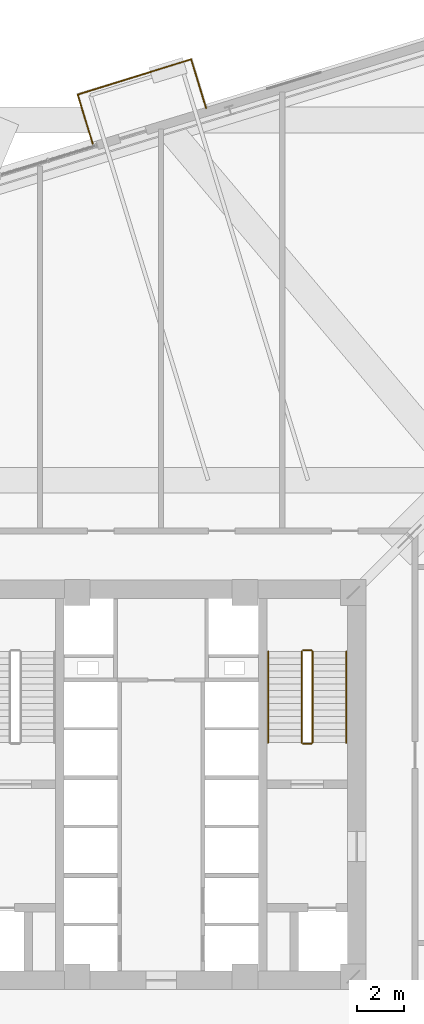
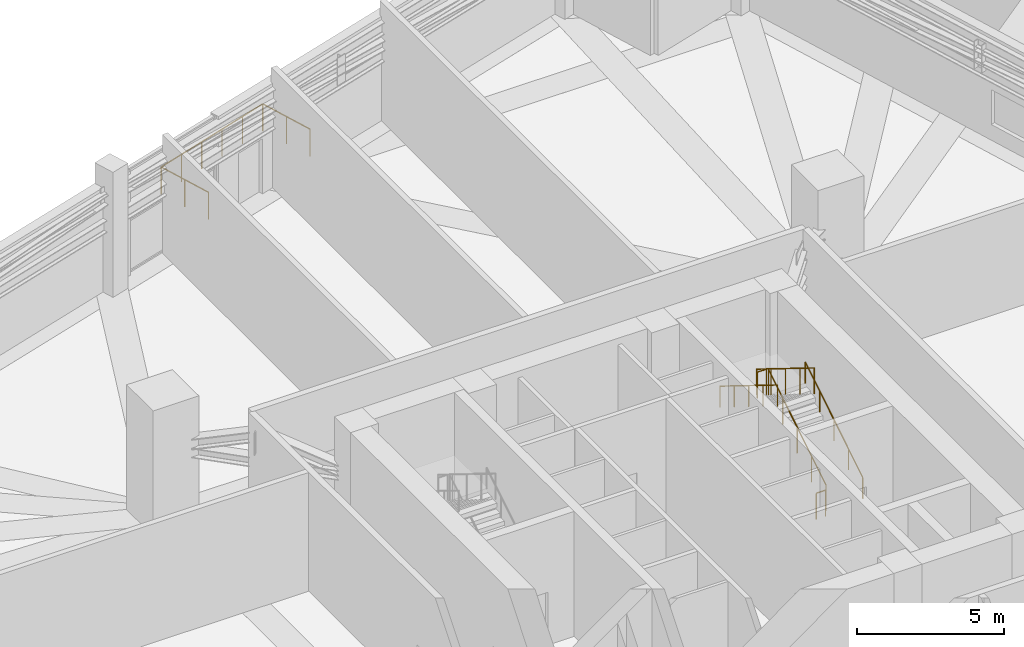
# One storey, part 21 of 22: 9 railings.
"""IFC4 building model written with IfcOpenShell, lengths in metres."""

import ifcopenshell
import ifcopenshell.guid

model = None  # the IFC model being written
_history = None  # IfcOwnerHistory: only IFC2X3 demands one
_inside = {}  # id of a spatial element -> (the spatial element, [elements in it])
_under = {}  # id of a project, library or spatial element -> (it, [spatial elements below it])
_declared = {}  # id of a project -> (the project, [libraries it declares])
_typed = {}  # id of a type object -> (the type object, [elements of that type])
_made_of = {}  # id of a material, layer set ... -> (it, [elements and type objects made of it])


def new_model(schema):
    """Start an empty IFC model of exactly this schema.

    Asked for "IFC4X3", IfcOpenShell would pick the latest addendum, in which some entities
    have other attributes; the version numbers below select the first issue.
    IFC2X3 requires an IfcOwnerHistory on every rooted entity: one is made here for all.
    """
    global model, _history
    if schema == "IFC4X3":
        model = ifcopenshell.file(schema_version=(4, 3, 0, 0))
    else:
        model = ifcopenshell.file(schema=schema)
    _inside.clear()
    _under.clear()
    _declared.clear()
    _typed.clear()
    _made_of.clear()
    _history = None
    if model.schema == "IFC2X3":
        org = make("IfcOrganization", Name="unknown")
        user = make(
            "IfcPersonAndOrganization",
            ThePerson=make("IfcPerson", FamilyName="unknown"),
            TheOrganization=org,
        )
        app = make(
            "IfcApplication",
            ApplicationDeveloper=org,
            Version="unknown",
            ApplicationFullName="unknown",
            ApplicationIdentifier="unknown",
        )
        _history = make(
            "IfcOwnerHistory",
            OwningUser=user,
            OwningApplication=app,
            ChangeAction="ADDED",
            CreationDate=0,
        )
    return model


def make(cls, **values):
    """One entity of the class cls with the attributes given. An attribute that is None is left unset."""
    return model.create_entity(
        cls, **{name: value for name, value in values.items() if value is not None}
    )


def rooted(cls, **values):
    """An entity with a GlobalId (a new one), such as an element, a storey or a relation."""
    return make(cls, GlobalId=ifcopenshell.guid.new(), OwnerHistory=_history, **values)


def si_unit(unit_type, name, prefix=None):
    """IfcSIUnit, for example si_unit("LENGTHUNIT", "METRE", prefix="MILLI")."""
    return make("IfcSIUnit", UnitType=unit_type, Prefix=prefix, Name=name)


def assignment(units):
    """IfcUnitAssignment: the units of a project."""
    return None if units is None else make("IfcUnitAssignment", Units=units)


def point(xyz):
    """IfcCartesianPoint."""
    return None if xyz is None else make("IfcCartesianPoint", Coordinates=xyz)


def direction(xyz):
    """IfcDirection."""
    return None if xyz is None else make("IfcDirection", DirectionRatios=xyz)


def frame(location, z_axis=None, x_axis=None):
    """IfcAxis2Placement3D, a coordinate frame: its origin and axes. An axis left out is left unset."""
    return make(
        "IfcAxis2Placement3D",
        Location=point(location),
        Axis=direction(z_axis),
        RefDirection=direction(x_axis),
    )


def frame_2d(location, x_axis=None):
    """IfcAxis2Placement2D, a coordinate frame in the plane: its origin and x axis."""
    return make(
        "IfcAxis2Placement2D", Location=point(location), RefDirection=direction(x_axis)
    )


def origin():
    """The frame at (0, 0, 0) with its axes left unset."""
    return frame((0.0, 0.0, 0.0))


def origin_2d():
    """The frame at (0, 0) in the plane with its x axis left unset."""
    return frame_2d((0.0, 0.0))


def place(relative_to, where):
    """IfcLocalPlacement: puts the frame where relative to a parent placement (None: the world)."""
    return make(
        "IfcLocalPlacement", PlacementRelTo=relative_to, RelativePlacement=where
    )


def context(
    kind, dimensions, precision=None, world=None, true_north=None, identifier=None
):
    """IfcGeometricRepresentationContext, for example the 3D "Model" context."""
    return make(
        "IfcGeometricRepresentationContext",
        ContextIdentifier=identifier,
        ContextType=kind,
        CoordinateSpaceDimension=dimensions,
        Precision=precision,
        WorldCoordinateSystem=world,
        TrueNorth=true_north,
    )


def subcontext(parent, identifier, kind, view, scale=None):
    """IfcGeometricRepresentationSubContext, for example "Body" below "Model"."""
    return make(
        "IfcGeometricRepresentationSubContext",
        ContextIdentifier=identifier,
        ContextType=kind,
        ParentContext=parent,
        TargetScale=scale,
        TargetView=view,
    )


def project(units=None, contexts=None):
    """IfcProject with its units and contexts."""
    return rooted(
        "IfcProject",
        Name="project",
        RepresentationContexts=contexts,
        UnitsInContext=assignment(units),
    )


def spatial(cls, under=None, at=None, **own):
    """A site, building, storey or space (cls), placed at a placement, below another one or the project."""
    s = rooted(cls, ObjectPlacement=at, **own)
    if under is not None:
        _under.setdefault(under.id(), (under, []))[1].append(s)
    return s


def profile(cls, at=None, kind="AREA", **sizes):
    """A parametric profile (cls). Its sizes go by their IFC names, for example OverallWidth=200.0."""
    return make(cls, ProfileType=kind, Position=at, **sizes)


def circle(**sizes):
    """IfcCircleProfileDef."""
    return profile("IfcCircleProfileDef", **sizes)


def extrude(swept, where, along, depth):
    """IfcExtrudedAreaSolid: the profile swept, set in the frame where, extruded along a direction by depth."""
    return make(
        "IfcExtrudedAreaSolid",
        SweptArea=swept,
        Position=where,
        ExtrudedDirection=direction(along),
        Depth=depth,
    )


def shape(context_of_items, identifier, shape_type, items):
    """IfcShapeRepresentation: the items that make up one representation, for example the "Body"."""
    return make(
        "IfcShapeRepresentation",
        ContextOfItems=context_of_items,
        RepresentationIdentifier=identifier,
        RepresentationType=shape_type,
        Items=items,
    )


def source(mapping_origin, context_of_items, identifier, shape_type, items):
    """IfcRepresentationMap: a shape defined once, which mapped items show again and again."""
    return make(
        "IfcRepresentationMap",
        MappingOrigin=mapping_origin,
        MappedRepresentation=shape(context_of_items, identifier, shape_type, items),
    )


def transform(
    local_origin,
    x_axis=None,
    y_axis=None,
    z_axis=None,
    scale=None,
    scale2=None,
    scale3=None,
    uniform=True,
):
    """IfcCartesianTransformationOperator3D, or its non-uniform kind. x_axis, y_axis, z_axis: its Axis1, 2, 3."""
    if uniform:
        return make(
            "IfcCartesianTransformationOperator3D",
            Axis1=direction(x_axis),
            Axis2=direction(y_axis),
            LocalOrigin=point(local_origin),
            Scale=scale,
            Axis3=direction(z_axis),
        )
    return make(
        "IfcCartesianTransformationOperator3DnonUniform",
        Axis1=direction(x_axis),
        Axis2=direction(y_axis),
        LocalOrigin=point(local_origin),
        Scale=scale,
        Axis3=direction(z_axis),
        Scale2=scale2,
        Scale3=scale3,
    )


def mapped(mapping_source, mapping_target):
    """IfcMappedItem: shows the shape of a source again, moved by a transform."""
    return make(
        "IfcMappedItem", MappingSource=mapping_source, MappingTarget=mapping_target
    )


def material(Name=None, Category=None):
    """IfcMaterial."""
    return make("IfcMaterial", Name=Name, Category=Category)


def made_of(thing, what):
    """Note that an element or type object is made of a material, layer set ...; save() writes the relation."""
    if what is not None:
        _made_of.setdefault(what.id(), (what, []))[1].append(thing)
    return thing


def type_object(cls, material=None, **own):
    """A type object (cls), such as IfcWallType, which elements share."""
    return made_of(rooted(cls, **own), material)


def element(
    cls,
    number,
    at=None,
    inside=None,
    cuts=None,
    type_object=None,
    material=None,
    context=None,
    identifier="Body",
    shape_type=None,
    held_by="IfcProductDefinitionShape",
    body=None,
    shapes=None,
    **own,
):
    """One element of the class cls, such as IfcWall. Its Tag is "e" and its number.

    at: its placement. inside: the storey or other place that contains it. cuts: it is an
    opening in that element (IfcRelVoidsElement). A single representation is given by context,
    identifier, shape_type and body (its items); several are given by shapes. held_by: the class
    of the entity that holds the representations. save() writes the other relations.
    """
    e = rooted(cls, Tag="e%d" % number, ObjectPlacement=at, **own)
    if body is not None:
        shapes = [shape(context, identifier, shape_type, body)]
    if shapes is not None:
        e.Representation = make(held_by, Representations=shapes)
    if inside is not None:
        _inside.setdefault(inside.id(), (inside, []))[1].append(e)
    if cuts is not None:
        rooted(
            "IfcRelVoidsElement", RelatingBuildingElement=cuts, RelatedOpeningElement=e
        )
    if type_object is not None:
        _typed.setdefault(type_object.id(), (type_object, []))[1].append(e)
    return made_of(e, material)


def aggregate(whole, parts):
    """IfcRelAggregates: a whole, such as a stair, and the parts it consists of."""
    return rooted("IfcRelAggregates", RelatingObject=whole, RelatedObjects=parts)


def save(model, path):
    """Write the relations noted so far, then the file.

    IfcRelAggregates (storeys below a building ...), IfcRelContainedInSpatialStructure (elements
    in a storey), IfcRelDefinesByType, IfcRelAssociatesMaterial and IfcRelDeclares: one each for
    every whole, place, type object, material and project.
    """
    for whole, parts in _under.values():
        aggregate(whole, parts)
    for where, things in _inside.values():
        rooted(
            "IfcRelContainedInSpatialStructure",
            RelatedElements=things,
            RelatingStructure=where,
        )
    for kind, things in _typed.values():
        rooted("IfcRelDefinesByType", RelatedObjects=things, RelatingType=kind)
    for what, things in _made_of.values():
        rooted("IfcRelAssociatesMaterial", RelatedObjects=things, RelatingMaterial=what)
    for by, libraries in _declared.values():
        rooted("IfcRelDeclares", RelatingContext=by, RelatedDefinitions=libraries)
    model.write(path)


model = new_model("IFC4")

# Units and contexts
model_context = context("Model", 3, precision=1e-05, world=origin(), true_north=direction((0.0, 1.0)))
body_context = subcontext(model_context, "Body", "Model", "MODEL_VIEW")
ifc_project = project(units=[si_unit("LENGTHUNIT", "METRE"), si_unit("AREAUNIT", "SQUARE_METRE"), si_unit("VOLUMEUNIT", "CUBIC_METRE"), si_unit("PLANEANGLEUNIT", "RADIAN"), si_unit("MASSUNIT", "GRAM", prefix="KILO"), si_unit("THERMODYNAMICTEMPERATUREUNIT", "KELVIN")], contexts=[model_context])

# Site, building, storey
site_placement = place(None, origin())
site = spatial("IfcSite", under=ifc_project, at=site_placement, CompositionType="ELEMENT")
building_placement = place(site_placement, origin())
building = spatial("IfcBuilding", under=site, at=building_placement, Name="Kosmvard Interchange Tower", CompositionType="ELEMENT")
storey_placement = place(building_placement, frame((0.0, 0.0, 78.0)))
storey = spatial("IfcBuildingStorey", under=building, at=storey_placement, Name="L18", CompositionType="ELEMENT", Elevation=78.0)

# Railings
ifc_material = material(Name="Steel S355", Category="steel")
railing_type_1 = type_object("IfcRailingType", Name="Observation & Balcony Glass-Infill Balustrade 1150", PredefinedType="BALUSTRADE", material=ifc_material)
shared_shape_1 = source(origin(), body_context, "Body", "SweptSolid", [
    extrude(circle(Radius=0.02392578125, at=origin_2d()), frame((0.0, 0.0, 1.1259765625), z_axis=(-0.292424349234, 0.956288659336, 0.0), x_axis=(-0.956288659336, -0.292424349234, 0.0)), (0.0, 0.0, 1.0), 2.199951171875),
    extrude(circle(Radius=0.02099609375, at=origin_2d()), origin(), (0.0, 0.0, 1.0), 1.101806640625),
    extrude(circle(Radius=0.02099609375, at=origin_2d()), frame((-0.32177734375, 1.0517578125, 0.0)), (0.0, 0.0, 1.0), 1.101806640625),
    extrude(circle(Radius=0.02099609375, at=origin_2d()), frame((-0.643310546875, 2.103759765625, 0.0)), (0.0, 0.0, 1.0), 1.101806640625),
])
railing_1_placement = place(storey_placement, frame((1.929931640625, 29.048583984375, 0.0)))
element("IfcRailing", 1, at=railing_1_placement, inside=storey, type_object=railing_type_1, Name="L18 Outdoor Terrace Guard SKG-L18-N-A", PredefinedType="BALUSTRADE", context=body_context, shape_type="MappedRepresentation", body=[
    mapped(shared_shape_1, transform((0.0, 0.0, 0.0), scale=1.0)),
])
shared_shape_2 = source(origin(), body_context, "Body", "SweptSolid", [
    extrude(circle(Radius=0.02392578125, at=origin_2d()), frame((0.0, 0.0, 1.1259765625), z_axis=(-0.9547816624, -0.29730788275, 0.0), x_axis=(0.29730788275, -0.9547816624, 0.0)), (0.0, 0.0, 1.0), 5.103515625),
    extrude(circle(Radius=0.02099609375, at=origin_2d()), origin(), (0.0, 0.0, 1.0), 1.101806640625),
    extrude(circle(Radius=0.02099609375, at=origin_2d()), frame((-0.974609375, -0.303466796875, 0.0)), (0.0, 0.0, 1.0), 1.101806640625),
    extrude(circle(Radius=0.02099609375, at=origin_2d()), frame((-1.94921875, -0.60693359375, 0.0)), (0.0, 0.0, 1.0), 1.101806640625),
    extrude(circle(Radius=0.02099609375, at=origin_2d()), frame((-2.923583984375, -0.910400390625, 0.0)), (0.0, 0.0, 1.0), 1.101806640625),
    extrude(circle(Radius=0.02099609375, at=origin_2d()), frame((-3.898193359375, -1.2138671875, 0.0)), (0.0, 0.0, 1.0), 1.101806640625),
    extrude(circle(Radius=0.02099609375, at=origin_2d()), frame((-4.872802734375, -1.517333984375, 0.0)), (0.0, 0.0, 1.0), 1.101806640625),
])
railing_2_placement = place(storey_placement, frame((1.28662109375, 31.15234375, 0.0)))
element("IfcRailing", 2, at=railing_2_placement, inside=storey, type_object=railing_type_1, Name="L18 Outdoor Terrace Guard SKG-L18-N-B", PredefinedType="BALUSTRADE", context=body_context, shape_type="MappedRepresentation", body=[
    mapped(shared_shape_2, transform((0.0, 0.0, 0.0), scale=1.0)),
])
shared_shape_3 = source(origin(), body_context, "Body", "SweptSolid", [
    extrude(circle(Radius=0.02392578125, at=origin_2d()), frame((0.0, 0.0, 1.1259765625), z_axis=(0.292393318538, -0.956298147689, 0.0), x_axis=(0.956298147689, 0.292393318538, 0.0)), (0.0, 0.0, 1.0), 2.2001953125),
    extrude(circle(Radius=0.02099609375, at=origin_2d()), origin(), (0.0, 0.0, 1.0), 1.101806640625),
    extrude(circle(Radius=0.02099609375, at=origin_2d()), frame((0.32177734375, -1.052001953125, 0.0)), (0.0, 0.0, 1.0), 1.101806640625),
    extrude(circle(Radius=0.02099609375, at=origin_2d()), frame((0.643310546875, -2.10400390625, 0.0)), (0.0, 0.0, 1.0), 1.101806640625),
])
railing_3_placement = place(storey_placement, frame((-3.586181640625, 29.635009765625, 0.0)))
element("IfcRailing", 3, at=railing_3_placement, inside=storey, type_object=railing_type_1, Name="L18 Outdoor Terrace Guard SKG-L18-N-C", PredefinedType="BALUSTRADE", context=body_context, shape_type="MappedRepresentation", body=[
    mapped(shared_shape_3, transform((0.0, 0.0, 0.0), scale=1.0)),
])
railing_type_2 = type_object("IfcRailingType", Name="Stair & Terrace Safety Guardrail 1100 Steel", PredefinedType="GUARDRAIL", material=ifc_material)
shared_shape_4 = source(origin(), body_context, "Body", "SweptSolid", [
    extrude(circle(Radius=0.02392578125, at=origin_2d()), frame((0.0, 0.0, 1.076171875), z_axis=(-1.0, 0.0, 0.0), x_axis=(0.0, -1.0, 0.0)), (0.0, 0.0, 1.0), 0.35986328125),
    extrude(circle(Radius=0.02099609375, at=origin_2d()), origin(), (0.0, 0.0, 1.0), 1.052001953125),
    extrude(circle(Radius=0.02099609375, at=origin_2d()), frame((-0.35986328125, 0.0, 0.0)), (0.0, 0.0, 1.0), 1.052001953125),
])
for number, where, name in (
    (4, (6.449951171875, 5.77001953125, 2.60009765625), "L18 ST-2 stair guard 2"),
    (5, (6.449951171875, 1.75, 0.0), "L18 ST-2 stair guard 4"),
):
    element("IfcRailing", number, at=place(storey_placement, frame(where)), inside=storey, type_object=railing_type_2, Name=name, PredefinedType="GUARDRAIL", context=body_context, shape_type="MappedRepresentation", body=[
        mapped(shared_shape_4, transform((0.0, 0.0, 0.0), scale=1.0)),
    ])
shared_shape_5 = source(origin(), body_context, "Body", "SweptSolid", [
    extrude(circle(Radius=0.02392578125, at=origin_2d()), frame((0.0, 0.0, 1.076171875), z_axis=(0.0, 0.850251603719, 0.526376491091), x_axis=(-1.0, 0.0, 0.0)), (0.0, 0.0, 1.0), 4.6103515625),
    extrude(circle(Radius=0.02099609375, at=origin_2d()), origin(), (0.0, 0.0, 1.0), 1.052001953125),
    extrude(circle(Radius=0.02099609375, at=origin_2d()), frame((0.0, 0.97998046875, 0.606689453125)), (0.0, 0.0, 1.0), 1.052001953125),
    extrude(circle(Radius=0.02099609375, at=origin_2d()), frame((0.0, 1.9599609375, 1.21337890625)), (0.0, 0.0, 1.0), 1.052001953125),
    extrude(circle(Radius=0.02099609375, at=origin_2d()), frame((0.0, 2.93994140625, 1.820068359375)), (0.0, 0.0, 1.0), 1.052001953125),
    extrude(circle(Radius=0.02099609375, at=origin_2d()), frame((0.0, 3.919921875, 2.4267578125)), (0.0, 0.0, 1.0), 1.052001953125),
])
railing_4_placement = place(storey_placement, frame((6.5, 1.800048828125, 0.17333984375)))
element("IfcRailing", 6, at=railing_4_placement, inside=storey, type_object=railing_type_2, Name="L18 ST-2 stair guard 1", PredefinedType="GUARDRAIL", context=body_context, shape_type="MappedRepresentation", body=[
    mapped(shared_shape_5, transform((0.0, 0.0, 0.0), scale=1.0)),
])
shared_shape_6 = source(origin(), body_context, "Body", "SweptSolid", [
    extrude(circle(Radius=0.02392578125, at=origin_2d()), frame((0.0, 0.0, 1.076171875), z_axis=(0.0, -0.850275303828, 0.526338206574), x_axis=(1.0, 0.0, 0.0)), (0.0, 0.0, 1.0), 4.610107421875),
    extrude(circle(Radius=0.02099609375, at=origin_2d()), origin(), (0.0, 0.0, 1.0), 1.052001953125),
    extrude(circle(Radius=0.02099609375, at=origin_2d()), frame((0.0, -0.97998046875, 0.606689453125)), (0.0, 0.0, 1.0), 1.052001953125),
    extrude(circle(Radius=0.02099609375, at=origin_2d()), frame((0.0, -1.9599609375, 1.21337890625)), (0.0, 0.0, 1.0), 1.052001953125),
    extrude(circle(Radius=0.02099609375, at=origin_2d()), frame((0.0, -2.93994140625, 1.81982421875)), (0.0, 0.0, 1.0), 1.052001953125),
    extrude(circle(Radius=0.02099609375, at=origin_2d()), frame((0.0, -3.919921875, 2.426513671875)), (0.0, 0.0, 1.0), 1.052001953125),
])
railing_5_placement = place(storey_placement, frame((6.0400390625, 5.719970703125, 2.7734375)))
element("IfcRailing", 7, at=railing_5_placement, inside=storey, type_object=railing_type_2, Name="L18 ST-2 stair guard 3", PredefinedType="GUARDRAIL", context=body_context, shape_type="MappedRepresentation", body=[
    mapped(shared_shape_6, transform((0.0, 0.0, 0.0), scale=1.0)),
])
railing_type_3 = type_object("IfcRailingType", Name="Wall-Mounted Stair Handrail 900 Steel", PredefinedType="HANDRAIL", material=ifc_material)
shared_shape_7 = source(origin(), body_context, "Body", "SweptSolid", [
    extrude(circle(Radius=0.02392578125, at=origin_2d()), frame((0.0, 0.0, 0.8759765625), z_axis=(0.0, 0.850251603719, 0.526376491091), x_axis=(-1.0, 0.0, 0.0)), (0.0, 0.0, 1.0), 4.6103515625),
    extrude(circle(Radius=0.02099609375, at=origin_2d()), origin(), (0.0, 0.0, 1.0), 0.851806640625),
    extrude(circle(Radius=0.02099609375, at=origin_2d()), frame((0.0, 0.97998046875, 0.606689453125)), (0.0, 0.0, 1.0), 0.851806640625),
    extrude(circle(Radius=0.02099609375, at=origin_2d()), frame((0.0, 1.9599609375, 1.21337890625)), (0.0, 0.0, 1.0), 0.851806640625),
    extrude(circle(Radius=0.02099609375, at=origin_2d()), frame((0.0, 2.93994140625, 1.820068359375)), (0.0, 0.0, 1.0), 0.851806640625),
    extrude(circle(Radius=0.02099609375, at=origin_2d()), frame((0.0, 3.919921875, 2.4267578125)), (0.0, 0.0, 1.0), 0.851806640625),
])
railing_6_placement = place(storey_placement, frame((7.949951171875, 1.800048828125, 0.17333984375)))
element("IfcRailing", 8, at=railing_6_placement, inside=storey, type_object=railing_type_3, Name="L18 ST-2 stair handrail 1", PredefinedType="HANDRAIL", context=body_context, shape_type="MappedRepresentation", body=[
    mapped(shared_shape_7, transform((0.0, 0.0, 0.0), scale=1.0)),
])
shared_shape_8 = source(origin(), body_context, "Body", "SweptSolid", [
    extrude(circle(Radius=0.02392578125, at=origin_2d()), frame((0.0, 0.0, 0.8759765625), z_axis=(0.0, -0.850275303828, 0.526338206574), x_axis=(1.0, 0.0, 0.0)), (0.0, 0.0, 1.0), 4.610107421875),
    extrude(circle(Radius=0.02099609375, at=origin_2d()), origin(), (0.0, 0.0, 1.0), 0.851806640625),
    extrude(circle(Radius=0.02099609375, at=origin_2d()), frame((0.0, -0.97998046875, 0.606689453125)), (0.0, 0.0, 1.0), 0.851806640625),
    extrude(circle(Radius=0.02099609375, at=origin_2d()), frame((0.0, -1.9599609375, 1.21337890625)), (0.0, 0.0, 1.0), 0.851806640625),
    extrude(circle(Radius=0.02099609375, at=origin_2d()), frame((0.0, -2.93994140625, 1.81982421875)), (0.0, 0.0, 1.0), 0.851806640625),
    extrude(circle(Radius=0.02099609375, at=origin_2d()), frame((0.0, -3.919921875, 2.426513671875)), (0.0, 0.0, 1.0), 0.851806640625),
])
railing_7_placement = place(storey_placement, frame((4.590087890625, 5.719970703125, 2.7734375)))
element("IfcRailing", 9, at=railing_7_placement, inside=storey, type_object=railing_type_3, Name="L18 ST-2 stair handrail 2", PredefinedType="HANDRAIL", context=body_context, shape_type="MappedRepresentation", body=[
    mapped(shared_shape_8, transform((0.0, 0.0, 0.0), scale=1.0)),
])

save(model, "model.ifc")
